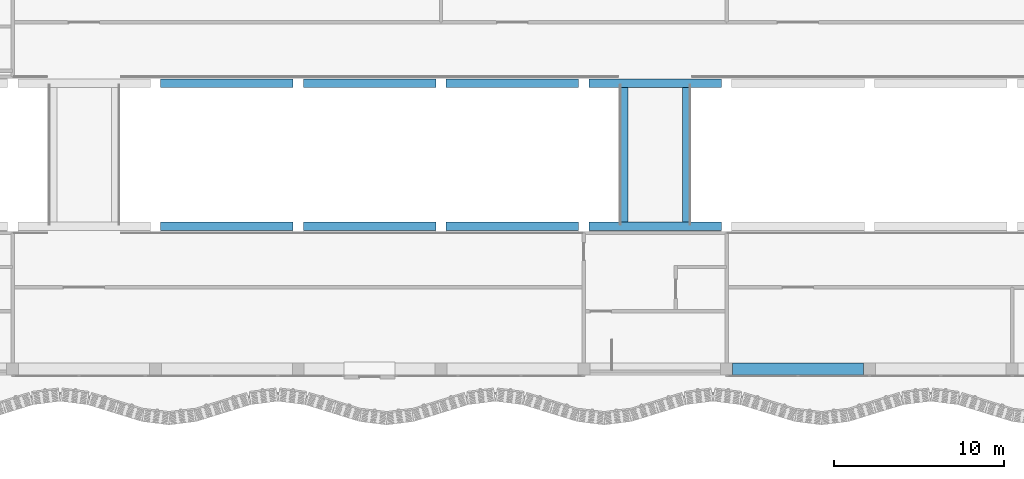
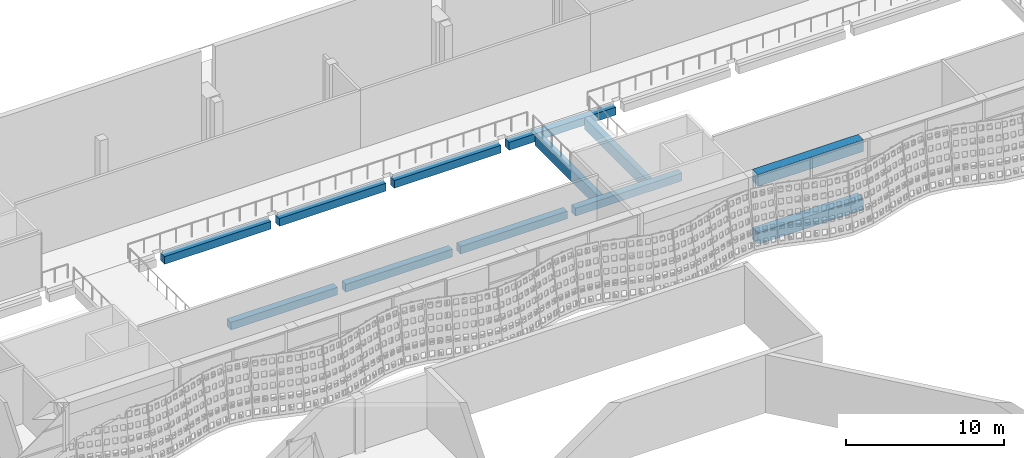
# One storey, part 53 of 162: 12 beams.
"""IFC4 building model written with IfcOpenShell, lengths in metres."""

from ifc_helpers import new_model, si_unit, direction, frame, origin, origin_2d, place, context, subcontext, project, spatial, rectangle, extrude, material, material_profile, profile_set, type_object, element, save


model = new_model("IFC4")

# Units and contexts
model_context = context("Model", 3, precision=1e-05, world=origin(), true_north=direction((0.0, 1.0)))
body_context = subcontext(model_context, "Body", "Model", "MODEL_VIEW")
ifc_project = project(units=[si_unit("LENGTHUNIT", "METRE"), si_unit("AREAUNIT", "SQUARE_METRE"), si_unit("VOLUMEUNIT", "CUBIC_METRE"), si_unit("PLANEANGLEUNIT", "RADIAN"), si_unit("MASSUNIT", "GRAM", prefix="KILO")], contexts=[model_context])

# Site, building, storey
site_placement = place(None, origin())
site = spatial("IfcSite", under=ifc_project, at=site_placement, CompositionType="ELEMENT")
building_placement = place(site_placement, origin())
building = spatial("IfcBuilding", under=site, at=building_placement, Name="Rain Tree Exposition and Congress Centre", CompositionType="ELEMENT")
storey_placement = place(building_placement, frame((0.0, 0.0, 6.0)))
storey = spatial("IfcBuildingStorey", under=building, at=storey_placement, Name="L01", CompositionType="ELEMENT", Elevation=6.0)

# Beams
ifc_material_1 = material(Name="Precast concrete C50/60", Category="concrete")
ifc_material_profile_1 = material_profile(ifc_material_1, rectangle(XDim=0.39990234375, YDim=0.89990234375, at=origin_2d()), Name="RC 400x900")
ifc_profile_set_1 = profile_set([ifc_material_profile_1], Name="Precast concrete C50/60")
beam_type_1 = type_object("IfcBeamType", Name="Precast beam 400x900", PredefinedType="BEAM", material=ifc_profile_set_1)
for number, where, z_axis, x_axis, name in (
    (1, (212.39990234375, 84.25, -0.75), (0.0, 1.0, 0.0), (-1.0, 0.0, 0.0), "Concourse bridge beam 7.1"),
    (2, (216.0, 84.25, -0.75), (0.0, 1.0, 0.0), (-1.0, 0.0, 0.0), "Concourse bridge beam 7.2"),
):
    element("IfcBeam", number, at=place(storey_placement, frame(where, z_axis=z_axis, x_axis=x_axis)), inside=storey, type_object=beam_type_1, Name=name, PredefinedType="BEAM", context=body_context, shape_type="SweptSolid", body=[
        extrude(rectangle(XDim=0.39990234375, YDim=0.89990234375, at=origin_2d()), origin(), (0.0, 0.0, 1.0), 7.89990234375),
    ])
ifc_material_2 = material(Name="Precast concrete C50/60", Category="concrete")
ifc_material_profile_2 = material_profile(ifc_material_2, rectangle(XDim=0.5, YDim=0.60009765625, at=origin_2d()), Name="RC 500x600")
ifc_profile_set_2 = profile_set([ifc_material_profile_2], Name="Precast concrete C50/60")
beam_type_2 = type_object("IfcBeamType", Name="Precast beam 500x600", PredefinedType="BEAM", material=ifc_profile_set_2)
beam_1_placement = place(storey_placement, frame((185.10009765625, 84.0, -0.60009765625), z_axis=(1.0, 0.0, 0.0), x_axis=(0.0, 1.0, 0.0)))
element("IfcBeam", 3, at=beam_1_placement, inside=storey, type_object=beam_type_2, Name="Concourse floor beam 55", PredefinedType="BEAM", context=body_context, shape_type="SweptSolid", body=[
    extrude(rectangle(XDim=0.5, YDim=0.60009765625, at=origin_2d()), origin(), (0.0, 0.0, 1.0), 7.7998046875),
])
for number, where, z_axis, x_axis, name in (
    (4, (193.5, 84.0, -0.60009765625), (1.0, 0.0, 0.0), (0.0, 1.0, 0.0), "Concourse floor beam 56"),
    (5, (201.89990234375, 84.0, -0.60009765625), (1.0, 0.0, 0.0), (0.0, 1.0, 0.0), "Concourse floor beam 57"),
    (6, (210.300048828125, 84.0, -0.60009765625), (1.0, 0.0, 0.0), (0.0, 1.0, 0.0), "Concourse floor beam 58"),
):
    element("IfcBeam", number, at=place(storey_placement, frame(where, z_axis=z_axis, x_axis=x_axis)), inside=storey, type_object=beam_type_2, Name=name, PredefinedType="BEAM", context=body_context, shape_type="SweptSolid", body=[
        extrude(rectangle(XDim=0.5, YDim=0.60009765625, at=origin_2d()), origin(), (0.0, 0.0, 1.0), 7.800048828125),
    ])
beam_2_placement = place(storey_placement, frame((185.10009765625, 92.39990234375, -0.60009765625), z_axis=(1.0, 0.0, 0.0), x_axis=(0.0, 1.0, 0.0)))
element("IfcBeam", 7, at=beam_2_placement, inside=storey, type_object=beam_type_2, Name="Concourse floor beam 87", PredefinedType="BEAM", context=body_context, shape_type="SweptSolid", body=[
    extrude(rectangle(XDim=0.5, YDim=0.60009765625, at=origin_2d()), origin(), (0.0, 0.0, 1.0), 7.7998046875),
])
for number, where, z_axis, x_axis, name in (
    (8, (193.5, 92.39990234375, -0.60009765625), (1.0, 0.0, 0.0), (0.0, 1.0, 0.0), "Concourse floor beam 88"),
    (9, (201.89990234375, 92.39990234375, -0.60009765625), (1.0, 0.0, 0.0), (0.0, 1.0, 0.0), "Concourse floor beam 89"),
    (10, (210.300048828125, 92.39990234375, -0.60009765625), (1.0, 0.0, 0.0), (0.0, 1.0, 0.0), "Concourse floor beam 90"),
):
    element("IfcBeam", number, at=place(storey_placement, frame(where, z_axis=z_axis, x_axis=x_axis)), inside=storey, type_object=beam_type_2, Name=name, PredefinedType="BEAM", context=body_context, shape_type="SweptSolid", body=[
        extrude(rectangle(XDim=0.5, YDim=0.60009765625, at=origin_2d()), origin(), (0.0, 0.0, 1.0), 7.800048828125),
    ])
ifc_material_3 = material(Name="Precast concrete C50/60", Category="concrete")
ifc_material_profile_3 = material_profile(ifc_material_3, rectangle(XDim=0.699951171875, YDim=0.89990234375, at=origin_2d()), Name="RC 700x900")
ifc_profile_set_3 = profile_set([ifc_material_profile_3], Name="Precast concrete C50/60")
beam_type_3 = type_object("IfcBeamType", Name="Precast beam 700x900", PredefinedType="BEAM", material=ifc_profile_set_3)
for number, where, z_axis, x_axis, name in (
    (11, (218.75, 75.60009765625, -0.449951171875), (1.0, 0.0, 0.0), (0.0, 1.0, 0.0), "Concourse edge beam 27"),
    (12, (218.75, 75.60009765625, 4.050048828125), (1.0, 0.0, 0.0), (0.0, 1.0, 0.0), "Concourse roof edge beam 27"),
):
    element("IfcBeam", number, at=place(storey_placement, frame(where, z_axis=z_axis, x_axis=x_axis)), inside=storey, type_object=beam_type_3, Name=name, PredefinedType="BEAM", context=body_context, shape_type="SweptSolid", body=[
        extrude(rectangle(XDim=0.699951171875, YDim=0.89990234375, at=origin_2d()), origin(), (0.0, 0.0, 1.0), 7.699951171875),
    ])

save(model, "model.ifc")
